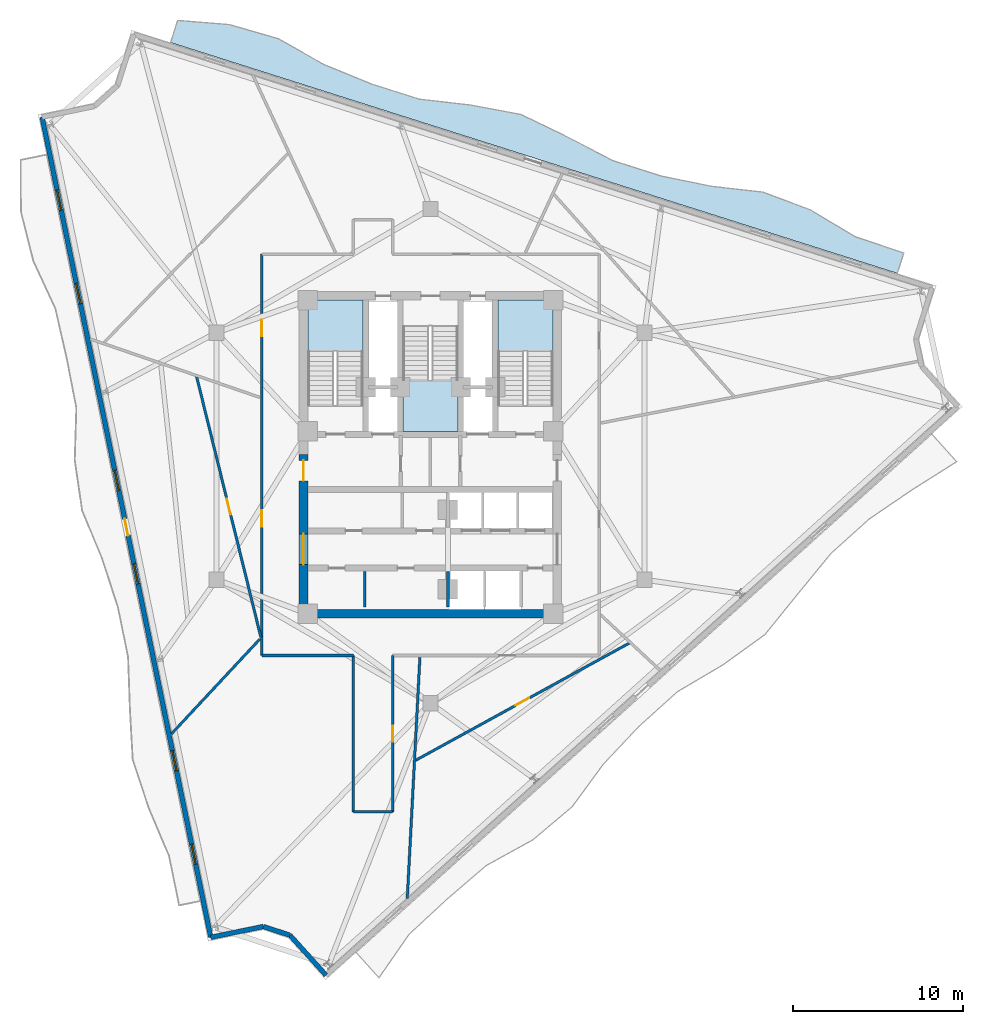
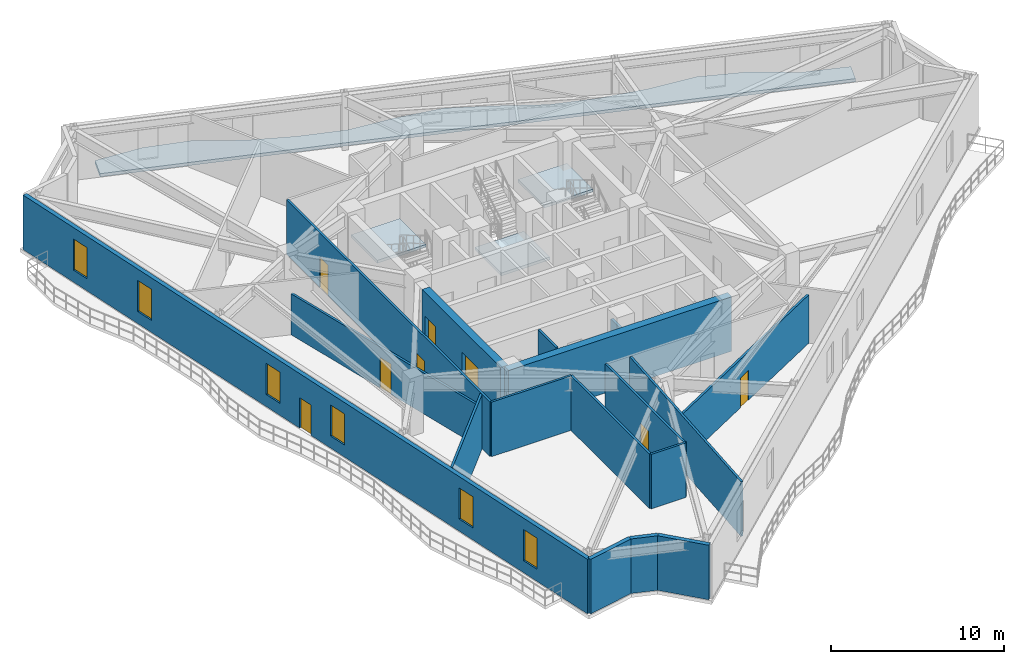
# One storey, part 5 of 12: 17 walls, 8 doors, 6 windows, 4 slabs, 14 openings, 3 elements without a shape of their own.
"""IFC4 building model written with IfcOpenShell, lengths in metres."""

from ifc_helpers import new_model, si_unit, direction, frame, frame_2d, origin, place, context, subcontext, project, spatial, polyline, rectangle, outline, extrude, material, layer, layer_set, type_object, element, fill, aggregate, save


model = new_model("IFC4")

# Units and contexts
model_context = context("Model", 3, precision=1e-05, world=origin(), true_north=direction((0.0, 1.0)))
body_context = subcontext(model_context, "Body", "Model", "MODEL_VIEW")
ifc_project = project(units=[si_unit("LENGTHUNIT", "METRE"), si_unit("AREAUNIT", "SQUARE_METRE"), si_unit("VOLUMEUNIT", "CUBIC_METRE"), si_unit("PLANEANGLEUNIT", "RADIAN"), si_unit("MASSUNIT", "GRAM", prefix="KILO")], contexts=[model_context])

# Site, building, storey
site_placement = place(None, origin())
site = spatial("IfcSite", under=ifc_project, at=site_placement, CompositionType="ELEMENT")
building_placement = place(site_placement, origin())
building = spatial("IfcBuilding", under=site, at=building_placement, Name="Apsidion Concourse Tower", CompositionType="ELEMENT")
storey_placement = place(building_placement, frame((0.0, 0.0, 240.39990234375)))
storey = spatial("IfcBuildingStorey", under=building, at=storey_placement, Name="L56", CompositionType="ELEMENT", Elevation=240.39990234375)

# Slab
ifc_material_1 = material(Name="Concrete C50/60", Category="concrete")
ifc_layer_1 = layer(ifc_material_1, 0.219970703125)
ifc_layer_set_1 = layer_set([ifc_layer_1], Name="Concrete C50/60")
slab_type_1 = type_object("IfcSlabType", Name="SL-BAL-220", PredefinedType="FLOOR", material=ifc_layer_set_1)
slab_1_placement = place(storey_placement, frame((0.0, 0.0, -0.219970703125)))
element("IfcSlab", 1, at=slab_1_placement, inside=storey, type_object=slab_type_1, Name="L56 Face 3 Rippling Balcony Slab", PredefinedType="FLOOR", context=body_context, shape_type="SweptSolid", body=[
    extrude(outline(polyline([(27.39599609375, 10.727294921875), (24.552978515625, 11.63037109375), (21.7099609375, 12.533447265625), (18.86669921875, 13.436279296875), (16.023681640625, 14.33935546875), (13.1806640625, 15.2421875), (10.337646484375, 16.145263671875), (7.49462890625, 17.04833984375), (4.651611328125, 17.951416015625), (1.80859375, 18.854248046875), (-1.03466796875, 19.75732421875), (-3.877685546875, 20.660400390625), (-6.720703125, 21.563232421875), (-9.563720703125, 22.46630859375), (-12.40673828125, 23.369140625), (-15.25, 24.272216796875), (-14.83740234375, 25.57080078125), (-11.7861328125, 25.323486328125), (-8.919921875, 24.4931640625), (-6.267333984375, 22.990966796875), (-3.499267578125, 21.8515625), (-0.65625, 20.948486328125), (2.36376953125, 20.6025390625), (5.317138671875, 20.047119140625), (8.030517578125, 18.735595703125), (10.716064453125, 17.336669921875), (13.55908203125, 16.43359375), (16.498291015625, 15.833251953125), (19.519287109375, 15.490478515625), (22.31640625, 14.44287109375), (24.945556640625, 12.86669921875), (27.7744140625, 11.918701171875), (27.39599609375, 10.727294921875)])), origin(), (0.0, 0.0, 1.0), 0.219970703125),
])

# Stair, slab
ifc_material_2 = material(Name="Precast concrete C40/50", Category="concrete")
stair_type = type_object("IfcStairType", Name="ST-DL-1550", PredefinedType="HALF_TURN_STAIR", material=ifc_material_2)
stair_1_placement = place(storey_placement, origin())
stair_1 = element("IfcStair", 2, at=stair_1_placement, inside=storey, type_object=stair_type, Name="L56 Protected Core Exit Stair ST1", PredefinedType="HALF_TURN_STAIR")
ifc_layer_2 = layer(ifc_material_1, 0.199951171875)
ifc_layer_set_2 = layer_set([ifc_layer_2], Name="Concrete C50/60")
slab_type_2 = type_object("IfcSlabType", Name="SL-ST-LAND-200", PredefinedType="LANDING", material=ifc_layer_set_2)
slab_2_placement = place(storey_placement, frame((0.0, 0.0, 1.85009765625)))
slab_2 = element("IfcSlab", 3, at=slab_2_placement, type_object=slab_type_2, Name="ST1 landing 1", PredefinedType="LANDING", context=body_context, shape_type="SweptSolid", body=[
    extrude(outline(polyline([(-3.949951171875, 6.135009765625), (-3.949951171875, 9.14990234375), (-7.199951171875, 9.14990234375), (-7.199951171875, 6.135009765625), (-3.949951171875, 6.135009765625)])), origin(), (0.0, 0.0, 1.0), 0.199951171875),
])
aggregate(stair_1, [slab_2])

stair_2_placement = place(storey_placement, origin())
stair_2 = element("IfcStair", 4, at=stair_2_placement, inside=storey, type_object=stair_type, Name="L56 Protected Core Exit Stair ST2", PredefinedType="HALF_TURN_STAIR")
slab_3_placement = place(storey_placement, frame((0.0, 0.0, 1.85009765625)))
slab_3 = element("IfcSlab", 5, at=slab_3_placement, type_object=slab_type_2, Name="ST2 landing 1", PredefinedType="LANDING", context=body_context, shape_type="SweptSolid", body=[
    extrude(outline(polyline([(7.199951171875, 6.135009765625), (7.199951171875, 9.14990234375), (3.949951171875, 9.14990234375), (3.949951171875, 6.135009765625), (7.199951171875, 6.135009765625)])), origin(), (0.0, 0.0, 1.0), 0.199951171875),
])
aggregate(stair_2, [slab_3])

stair_3_placement = place(storey_placement, origin())
stair_3 = element("IfcStair", 6, at=stair_3_placement, inside=storey, type_object=stair_type, Name="L56 Protected Core Exit Stair ST3", PredefinedType="HALF_TURN_STAIR")
slab_4_placement = place(storey_placement, frame((0.0, 0.0, 1.85009765625)))
slab_4 = element("IfcSlab", 7, at=slab_4_placement, type_object=slab_type_2, Name="ST3 landing 1", PredefinedType="LANDING", context=body_context, shape_type="SweptSolid", body=[
    extrude(outline(polyline([(-1.625, 4.465087890625), (-1.625, 1.449951171875), (1.625, 1.449951171875), (1.625, 4.465087890625), (-1.625, 4.465087890625)])), origin(), (0.0, 0.0, 1.0), 0.199951171875),
])
aggregate(stair_3, [slab_4])

# Walls
ifc_layer_3 = layer(ifc_material_2, 0.280029296875)
ifc_layer_set_3 = layer_set([ifc_layer_3], Name="Precast concrete C40/50")
wall_type_1 = type_object("IfcWallType", Name="WL-EXT-280", PredefinedType="STANDARD", material=ifc_layer_set_3)
wall_1_placement = place(storey_placement, frame((-6.13330078125, -30.46044921875, 0.0), z_axis=(0.0, 0.0, 1.0), x_axis=(-0.669131702868, 0.743143838175, 0.0)))
element("IfcWall", 8, at=wall_1_placement, inside=storey, type_object=wall_type_1, Name="L56 Precast Stone Facade Wall 06", PredefinedType="STANDARD", context=body_context, shape_type="SweptSolid", body=[
    extrude(rectangle(XDim=3.150146484375, YDim=0.280029296875, at=frame_2d((1.5751953125, 0.0))), origin(), (0.0, 0.0, 1.0), 3.85009765625),
])
wall_2_placement = place(storey_placement, frame((-8.2412109375, -28.119384765625, 0.0), z_axis=(0.0, 0.0, 1.0), x_axis=(-0.950036767419, 0.312138015231, 0.0)))
element("IfcWall", 9, at=wall_2_placement, inside=storey, type_object=wall_type_1, Name="L56 Precast Stone Facade Wall 07", PredefinedType="STANDARD", context=body_context, shape_type="SweptSolid", body=[
    extrude(rectangle(XDim=1.648681640625, YDim=0.280029296875, at=frame_2d((0.82421875, 0.0))), origin(), (0.0, 0.0, 1.0), 3.85009765625),
])
wall_3_placement = place(storey_placement, frame((-9.8076171875, -27.604736328125, 0.0), z_axis=(0.0, 0.0, 1.0), x_axis=(-0.979505186658, -0.201418939799, 0.0)))
element("IfcWall", 10, at=wall_3_placement, inside=storey, type_object=wall_type_1, Name="L56 Precast Stone Facade Wall 08", PredefinedType="STANDARD", context=body_context, shape_type="SweptSolid", body=[
    extrude(rectangle(XDim=3.150146484375, YDim=0.280029296875, at=frame_2d((1.5751953125, 0.0))), origin(), (0.0, 0.0, 1.0), 3.85009765625),
])

# Wall, openings, door, windows
wall_4_placement = place(storey_placement, frame((-12.893310546875, -28.2392578125, 0.0), z_axis=(0.0, 0.0, 1.0), x_axis=(-0.201426823496, 0.979503565474, 0.0)))
wall_4 = element("IfcWall", 11, at=wall_4_placement, inside=storey, type_object=wall_type_1, Name="L56 Precast Stone Facade Wall 09", PredefinedType="STANDARD", context=body_context, shape_type="SweptSolid", body=[
    extrude(rectangle(XDim=49.145263671875, YDim=0.280029296875, at=frame_2d((24.57275390625, 0.0))), origin(), (0.0, 0.0, 1.0), 3.85009765625),
])
opening_1_placement = place(wall_4_placement, frame((24.072509765625, 0.0, 0.0)))
opening_1 = element("IfcOpeningElement", 12, at=opening_1_placement, cuts=wall_4, Name="Opening D-T1L", PredefinedType="OPENING", context=body_context, shape_type="SweptSolid", body=[
    extrude(rectangle(XDim=1.0, YDim=2.14990234375, at=frame_2d((0.5, 1.074951171875))), frame((0.0, 0.14990234375, 0.0), z_axis=(0.0, -1.0, 0.0), x_axis=(1.0, 0.0, 0.0)), (0.0, 0.0, 1.0), 0.300048828125),
])
opening_2_placement = place(wall_4_placement, frame((4.37255859375, 0.0, 0.85009765625)))
opening_2 = element("IfcOpeningElement", 13, at=opening_2_placement, cuts=wall_4, Name="Opening WN-06", PredefinedType="OPENING", context=body_context, shape_type="SweptSolid", body=[
    extrude(rectangle(XDim=1.199951171875, YDim=2.199951171875, at=frame_2d((0.60009765625, 1.10009765625))), frame((0.0, 0.14990234375, 0.0), z_axis=(0.0, -1.0, 0.0), x_axis=(1.0, 0.0, 0.0)), (0.0, 0.0, 1.0), 0.300048828125),
])
opening_3_placement = place(wall_4_placement, frame((9.97265625, 0.0, 0.85009765625)))
opening_3 = element("IfcOpeningElement", 14, at=opening_3_placement, cuts=wall_4, Name="Opening WN-06", PredefinedType="OPENING", context=body_context, shape_type="SweptSolid", body=[
    extrude(rectangle(XDim=1.199951171875, YDim=2.199951171875, at=frame_2d((0.60009765625, 1.10009765625))), frame((0.0, 0.14990234375, 0.0), z_axis=(0.0, -1.0, 0.0), x_axis=(1.0, 0.0, 0.0)), (0.0, 0.0, 1.0), 0.300048828125),
])
opening_4_placement = place(wall_4_placement, frame((21.172607421875, 0.0, 0.85009765625)))
opening_4 = element("IfcOpeningElement", 15, at=opening_4_placement, cuts=wall_4, Name="Opening WN-06", PredefinedType="OPENING", context=body_context, shape_type="SweptSolid", body=[
    extrude(rectangle(XDim=1.199951171875, YDim=2.199951171875, at=frame_2d((0.60009765625, 1.10009765625))), frame((0.0, 0.14990234375, 0.0), z_axis=(0.0, -1.0, 0.0), x_axis=(1.0, 0.0, 0.0)), (0.0, 0.0, 1.0), 0.300048828125),
])
opening_5_placement = place(wall_4_placement, frame((26.772705078125, 0.0, 0.85009765625)))
opening_5 = element("IfcOpeningElement", 16, at=opening_5_placement, cuts=wall_4, Name="Opening WN-06", PredefinedType="OPENING", context=body_context, shape_type="SweptSolid", body=[
    extrude(rectangle(XDim=1.199951171875, YDim=2.199951171875, at=frame_2d((0.60009765625, 1.10009765625))), frame((0.0, 0.14990234375, 0.0), z_axis=(0.0, -1.0, 0.0), x_axis=(1.0, 0.0, 0.0)), (0.0, 0.0, 1.0), 0.300048828125),
])
opening_6_placement = place(wall_4_placement, frame((37.97265625, 0.0, 0.85009765625)))
opening_6 = element("IfcOpeningElement", 17, at=opening_6_placement, cuts=wall_4, Name="Opening WN-06", PredefinedType="OPENING", context=body_context, shape_type="SweptSolid", body=[
    extrude(rectangle(XDim=1.199951171875, YDim=2.199951171875, at=frame_2d((0.60009765625, 1.10009765625))), frame((0.0, 0.14990234375, 0.0), z_axis=(0.0, -1.0, 0.0), x_axis=(1.0, 0.0, 0.0)), (0.0, 0.0, 1.0), 0.300048828125),
])
opening_7_placement = place(wall_4_placement, frame((43.572509765625, 0.0, 0.85009765625)))
opening_7 = element("IfcOpeningElement", 18, at=opening_7_placement, cuts=wall_4, Name="Opening WN-06", PredefinedType="OPENING", context=body_context, shape_type="SweptSolid", body=[
    extrude(rectangle(XDim=1.199951171875, YDim=2.199951171875, at=frame_2d((0.60009765625, 1.10009765625))), frame((0.0, 0.14990234375, 0.0), z_axis=(0.0, -1.0, 0.0), x_axis=(1.0, 0.0, 0.0)), (0.0, 0.0, 1.0), 0.300048828125),
])
ifc_material_3 = material(Name="Anodised aluminium EN AW-6063 T6", Category="aluminium")
door_type_1 = type_object("IfcDoorType", Name="DR-TER-1022L", OperationType="SINGLE_SWING_LEFT", PredefinedType="DOOR", material=ifc_material_3)
door_1_placement = place(opening_1_placement, origin())
door_1 = element("IfcDoor", 19, at=door_1_placement, inside=storey, type_object=door_type_1, Name="L56 Balcony Access Door 1", OperationType="SINGLE_SWING_LEFT", OverallHeight=2.14990234375, OverallWidth=1.0, PredefinedType="DOOR", context=body_context, shape_type="SweptSolid", body=[
    extrude(rectangle(XDim=1.0, YDim=2.14990234375, at=frame_2d((0.5, 1.074951171875))), frame((0.0, 0.02490234375, 0.0), z_axis=(0.0, -1.0, 0.0), x_axis=(1.0, 0.0, 0.0)), (0.0, 0.0, 1.0), 0.050048828125),
])
fill(opening_1, door_1)
ifc_material_4 = material(Name="Insulated laminated low-E glass", Category="glass")
window_type = type_object("IfcWindowType", Name="WN-OFF-1224", PartitioningType="SINGLE_PANEL", PredefinedType="WINDOW", material=ifc_material_4)
window_1_placement = place(opening_2_placement, origin())
window_1 = element("IfcWindow", 20, at=window_1_placement, inside=storey, type_object=window_type, Name="L56 Punched Facade Window 9-01", OverallHeight=2.199951171875, OverallWidth=1.199951171875, PartitioningType="SINGLE_PANEL", PredefinedType="WINDOW", context=body_context, shape_type="SweptSolid", body=[
    extrude(rectangle(XDim=1.199951171875, YDim=2.199951171875, at=frame_2d((0.60009765625, 1.10009765625))), frame((0.0, 0.030029296875, 0.0), z_axis=(0.0, -1.0, 0.0), x_axis=(1.0, 0.0, 0.0)), (0.0, 0.0, 1.0), 0.06005859375),
])
fill(opening_2, window_1)
window_2_placement = place(opening_3_placement, origin())
window_2 = element("IfcWindow", 21, at=window_2_placement, inside=storey, type_object=window_type, Name="L56 Punched Facade Window 9-02", OverallHeight=2.199951171875, OverallWidth=1.199951171875, PartitioningType="SINGLE_PANEL", PredefinedType="WINDOW", context=body_context, shape_type="SweptSolid", body=[
    extrude(rectangle(XDim=1.199951171875, YDim=2.199951171875, at=frame_2d((0.60009765625, 1.10009765625))), frame((0.0, 0.030029296875, 0.0), z_axis=(0.0, -1.0, 0.0), x_axis=(1.0, 0.0, 0.0)), (0.0, 0.0, 1.0), 0.06005859375),
])
fill(opening_3, window_2)
window_3_placement = place(opening_4_placement, origin())
window_3 = element("IfcWindow", 22, at=window_3_placement, inside=storey, type_object=window_type, Name="L56 Punched Facade Window 9-04", OverallHeight=2.199951171875, OverallWidth=1.199951171875, PartitioningType="SINGLE_PANEL", PredefinedType="WINDOW", context=body_context, shape_type="SweptSolid", body=[
    extrude(rectangle(XDim=1.199951171875, YDim=2.199951171875, at=frame_2d((0.60009765625, 1.10009765625))), frame((0.0, 0.030029296875, 0.0), z_axis=(0.0, -1.0, 0.0), x_axis=(1.0, 0.0, 0.0)), (0.0, 0.0, 1.0), 0.06005859375),
])
fill(opening_4, window_3)
window_4_placement = place(opening_5_placement, origin())
window_4 = element("IfcWindow", 23, at=window_4_placement, inside=storey, type_object=window_type, Name="L56 Punched Facade Window 9-05", OverallHeight=2.199951171875, OverallWidth=1.199951171875, PartitioningType="SINGLE_PANEL", PredefinedType="WINDOW", context=body_context, shape_type="SweptSolid", body=[
    extrude(rectangle(XDim=1.199951171875, YDim=2.199951171875, at=frame_2d((0.60009765625, 1.10009765625))), frame((0.0, 0.030029296875, 0.0), z_axis=(0.0, -1.0, 0.0), x_axis=(1.0, 0.0, 0.0)), (0.0, 0.0, 1.0), 0.06005859375),
])
fill(opening_5, window_4)
window_5_placement = place(opening_6_placement, origin())
window_5 = element("IfcWindow", 24, at=window_5_placement, inside=storey, type_object=window_type, Name="L56 Punched Facade Window 9-07", OverallHeight=2.199951171875, OverallWidth=1.199951171875, PartitioningType="SINGLE_PANEL", PredefinedType="WINDOW", context=body_context, shape_type="SweptSolid", body=[
    extrude(rectangle(XDim=1.199951171875, YDim=2.199951171875, at=frame_2d((0.60009765625, 1.10009765625))), frame((0.0, 0.030029296875, 0.0), z_axis=(0.0, -1.0, 0.0), x_axis=(1.0, 0.0, 0.0)), (0.0, 0.0, 1.0), 0.06005859375),
])
fill(opening_6, window_5)
window_6_placement = place(opening_7_placement, origin())
window_6 = element("IfcWindow", 25, at=window_6_placement, inside=storey, type_object=window_type, Name="L56 Punched Facade Window 9-08", OverallHeight=2.199951171875, OverallWidth=1.199951171875, PartitioningType="SINGLE_PANEL", PredefinedType="WINDOW", context=body_context, shape_type="SweptSolid", body=[
    extrude(rectangle(XDim=1.199951171875, YDim=2.199951171875, at=frame_2d((0.60009765625, 1.10009765625))), frame((0.0, 0.030029296875, 0.0), z_axis=(0.0, -1.0, 0.0), x_axis=(1.0, 0.0, 0.0)), (0.0, 0.0, 1.0), 0.06005859375),
])
fill(opening_7, window_6)

# Walls
ifc_material_5 = material(Name="Gypsum plasterboard partition")
ifc_layer_4 = layer(ifc_material_5, 0.14990234375)
ifc_layer_set_4 = layer_set([ifc_layer_4], Name="Gypsum plasterboard partition")
wall_type_2 = type_object("IfcWallType", Name="WL-INT-PAR-150", PredefinedType="PARTITIONING", material=ifc_layer_set_4)
wall_5_placement = place(storey_placement, frame((-3.85009765625, -8.85009765625, 0.0), z_axis=(0.0, 0.0, 1.0), x_axis=(0.0, 1.0, 0.0)))
element("IfcWall", 26, at=wall_5_placement, inside=storey, type_object=wall_type_2, Name="L56 Interior Partition WL-L56-B2RV1", PredefinedType="PARTITIONING", context=body_context, shape_type="SweptSolid", body=[
    extrude(rectangle(XDim=2.080078125, YDim=0.14990234375, at=frame_2d((1.0400390625, 0.0))), origin(), (0.0, 0.0, 1.0), 3.85009765625),
])
wall_6_placement = place(storey_placement, frame((-4.530029296875, -11.699951171875, 0.0), z_axis=(0.0, 0.0, 1.0), x_axis=(-1.0, 0.0, 0.0)))
element("IfcWall", 27, at=wall_6_placement, inside=storey, type_object=wall_type_2, Name="L56 Interior Partition WL-L56-CORR-01", PredefinedType="PARTITIONING", context=body_context, shape_type="SweptSolid", body=[
    extrude(rectangle(XDim=5.369873046875, YDim=0.14990234375, at=frame_2d((2.68505859375, 0.0))), origin(), (0.0, 0.0, 1.0), 3.85009765625),
])

# Wall, openings, doors
wall_7_placement = place(storey_placement, frame((-9.89990234375, -11.699951171875, 0.0), z_axis=(0.0, 0.0, 1.0), x_axis=(0.0, 1.0, 0.0)))
wall_7 = element("IfcWall", 28, at=wall_7_placement, inside=storey, type_object=wall_type_2, Name="L56 Interior Partition WL-L56-CORR-02", PredefinedType="PARTITIONING", context=body_context, shape_type="SweptSolid", body=[
    extrude(rectangle(XDim=23.550048828125, YDim=0.14990234375, at=frame_2d((11.77490234375, 0.0))), origin(), (0.0, 0.0, 1.0), 3.85009765625),
])
opening_8_placement = place(wall_7_placement, frame((7.5673828125, 0.0, 0.0)))
opening_8 = element("IfcOpeningElement", 29, at=opening_8_placement, cuts=wall_7, Name="Opening D-01L", PredefinedType="OPENING", context=body_context, shape_type="SweptSolid", body=[
    extrude(rectangle(XDim=0.949951171875, YDim=2.14990234375, at=frame_2d((0.47509765625, 1.074951171875))), frame((0.0, 0.0849609375, 0.0), z_axis=(0.0, -1.0, 0.0), x_axis=(1.0, 0.0, 0.0)), (0.0, 0.0, 1.0), 0.169921875),
])
opening_9_placement = place(wall_7_placement, frame((18.744140625, 0.0, 0.0)))
opening_9 = element("IfcOpeningElement", 30, at=opening_9_placement, cuts=wall_7, Name="Opening D-01L", PredefinedType="OPENING", context=body_context, shape_type="SweptSolid", body=[
    extrude(rectangle(XDim=0.949951171875, YDim=2.14990234375, at=frame_2d((0.47509765625, 1.074951171875))), frame((0.0, 0.0849609375, 0.0), z_axis=(0.0, -1.0, 0.0), x_axis=(1.0, 0.0, 0.0)), (0.0, 0.0, 1.0), 0.169921875),
])
ifc_material_6 = material(Name="Brushed stainless steel 316", Category="steel")
door_type_2 = type_object("IfcDoorType", Name="DR-INT-D01L", OperationType="SINGLE_SWING_LEFT", PredefinedType="DOOR", material=ifc_material_6)
door_2_placement = place(opening_8_placement, origin())
door_2 = element("IfcDoor", 31, at=door_2_placement, inside=storey, type_object=door_type_2, Name="L56 Corridor Entry Door 01", OperationType="SINGLE_SWING_LEFT", OverallHeight=2.14990234375, OverallWidth=0.949951171875, PredefinedType="DOOR", context=body_context, shape_type="SweptSolid", body=[
    extrude(rectangle(XDim=0.949951171875, YDim=2.14990234375, at=frame_2d((0.47509765625, 1.074951171875))), frame((0.0, 0.02490234375, 0.0), z_axis=(0.0, -1.0, 0.0), x_axis=(1.0, 0.0, 0.0)), (0.0, 0.0, 1.0), 0.050048828125),
])
fill(opening_8, door_2)
door_3_placement = place(opening_9_placement, origin())
door_3 = element("IfcDoor", 32, at=door_3_placement, inside=storey, type_object=door_type_2, Name="L56 Corridor Entry Door 07", OperationType="SINGLE_SWING_LEFT", OverallHeight=2.14990234375, OverallWidth=0.949951171875, PredefinedType="DOOR", context=body_context, shape_type="SweptSolid", body=[
    extrude(rectangle(XDim=0.949951171875, YDim=2.14990234375, at=frame_2d((0.47509765625, 1.074951171875))), frame((0.0, 0.02490234375, 0.0), z_axis=(0.0, -1.0, 0.0), x_axis=(1.0, 0.0, 0.0)), (0.0, 0.0, 1.0), 0.050048828125),
])
fill(opening_9, door_3)

# Wall, opening, door
wall_8_placement = place(storey_placement, frame((-2.219970703125, -11.699951171875, 0.0), z_axis=(0.0, 0.0, 1.0), x_axis=(0.0, -1.0, 0.0)))
wall_8 = element("IfcWall", 33, at=wall_8_placement, inside=storey, type_object=wall_type_2, Name="L56 Interior Partition WL-L56-CORR-10", PredefinedType="PARTITIONING", context=body_context, shape_type="SweptSolid", body=[
    extrude(rectangle(XDim=9.179931640625, YDim=0.14990234375, at=frame_2d((4.58984375, 0.0))), origin(), (0.0, 0.0, 1.0), 3.85009765625),
])
opening_10_placement = place(wall_8_placement, frame((4.114990234375, 0.0, 0.0)))
opening_10 = element("IfcOpeningElement", 34, at=opening_10_placement, cuts=wall_8, Name="Opening D-01R", PredefinedType="OPENING", context=body_context, shape_type="SweptSolid", body=[
    extrude(rectangle(XDim=0.949951171875, YDim=2.14990234375, at=frame_2d((0.47509765625, 1.074951171875))), frame((0.0, 0.0849609375, 0.0), z_axis=(0.0, -1.0, 0.0), x_axis=(1.0, 0.0, 0.0)), (0.0, 0.0, 1.0), 0.169921875),
])
door_type_3 = type_object("IfcDoorType", Name="DR-INT-D01R", OperationType="SINGLE_SWING_RIGHT", PredefinedType="DOOR", material=ifc_material_6)
door_4_placement = place(opening_10_placement, origin())
door_4 = element("IfcDoor", 35, at=door_4_placement, inside=storey, type_object=door_type_3, Name="L56 Corridor Entry Door 02", OperationType="SINGLE_SWING_RIGHT", OverallHeight=2.14990234375, OverallWidth=0.949951171875, PredefinedType="DOOR", context=body_context, shape_type="SweptSolid", body=[
    extrude(rectangle(XDim=0.949951171875, YDim=2.14990234375, at=frame_2d((0.47509765625, 1.074951171875))), frame((0.0, 0.02490234375, 0.0), z_axis=(0.0, -1.0, 0.0), x_axis=(1.0, 0.0, 0.0)), (0.0, 0.0, 1.0), 0.050048828125),
])
fill(opening_10, door_4)

# Walls
wall_9_placement = place(storey_placement, frame((-2.219970703125, -20.8798828125, 0.0), z_axis=(0.0, 0.0, 1.0), x_axis=(-1.0, 0.0, 0.0)))
element("IfcWall", 36, at=wall_9_placement, inside=storey, type_object=wall_type_2, Name="L56 Interior Partition WL-L56-CORR-11", PredefinedType="PARTITIONING", context=body_context, shape_type="SweptSolid", body=[
    extrude(rectangle(XDim=2.31005859375, YDim=0.14990234375, at=frame_2d((1.155029296875, 0.0))), origin(), (0.0, 0.0, 1.0), 3.85009765625),
])
wall_10_placement = place(storey_placement, frame((-4.530029296875, -20.8798828125, 0.0), z_axis=(0.0, 0.0, 1.0), x_axis=(0.0, 1.0, 0.0)))
element("IfcWall", 37, at=wall_10_placement, inside=storey, type_object=wall_type_2, Name="L56 Interior Partition WL-L56-CORR-12", PredefinedType="PARTITIONING", context=body_context, shape_type="SweptSolid", body=[
    extrude(rectangle(XDim=9.179931640625, YDim=0.14990234375, at=frame_2d((4.58984375, 0.0))), origin(), (0.0, 0.0, 1.0), 3.85009765625),
])
wall_11_placement = place(storey_placement, frame((-10.0048828125, -10.72900390625, 0.0), z_axis=(0.0, 0.0, 1.0), x_axis=(-0.681991084944, -0.731360485709, 0.0)))
element("IfcWall", 38, at=wall_11_placement, inside=storey, type_object=wall_type_2, Name="L56 Interior Partition WL-L56-RAD-05-1", PredefinedType="PARTITIONING", context=body_context, shape_type="SweptSolid", body=[
    extrude(rectangle(XDim=7.605712890625, YDim=0.14990234375, at=frame_2d((3.802734375, 0.0))), origin(), (0.0, 0.0, 1.0), 3.85009765625),
])
wall_12_placement = place(storey_placement, frame((-0.61865234375, -11.804931640625, 0.0), z_axis=(0.0, 0.0, 1.0), x_axis=(-0.052330923958, -0.998629798473, 0.0)))
element("IfcWall", 39, at=wall_12_placement, inside=storey, type_object=wall_type_2, Name="L56 Interior Partition WL-L56-RAD-06-1", PredefinedType="PARTITIONING", context=body_context, shape_type="SweptSolid", body=[
    extrude(rectangle(XDim=14.168701171875, YDim=0.14990234375, at=frame_2d((7.08447265625, 0.0))), origin(), (0.0, 0.0, 1.0), 3.85009765625),
])

# Wall, opening, door
wall_13_placement = place(storey_placement, frame((-13.731201171875, 4.70166015625, 0.0), z_axis=(0.0, 0.0, 1.0), x_axis=(0.239406484388, -0.970919427776, 0.0)))
wall_13 = element("IfcWall", 40, at=wall_13_placement, inside=storey, type_object=wall_type_2, Name="L56 Interior Partition WL-L56-CHD-OFWC", PredefinedType="PARTITIONING", context=body_context, shape_type="SweptSolid", body=[
    extrude(rectangle(XDim=15.794189453125, YDim=0.14990234375, at=frame_2d((7.89697265625, 0.0))), origin(), (0.0, 0.0, 1.0), 2.898193359375),
])
opening_11_placement = place(wall_13_placement, frame((7.422119140625, 0.0, 0.0)))
opening_11 = element("IfcOpeningElement", 41, at=opening_11_placement, cuts=wall_13, Name="Opening D-04L", PredefinedType="OPENING", context=body_context, shape_type="SweptSolid", body=[
    extrude(rectangle(XDim=0.949951171875, YDim=2.14990234375, at=frame_2d((0.47509765625, 1.074951171875))), frame((0.0, 0.0849609375, 0.0), z_axis=(0.0, -1.0, 0.0), x_axis=(1.0, 0.0, 0.0)), (0.0, 0.0, 1.0), 0.169921875),
])
door_type_4 = type_object("IfcDoorType", Name="DR-INT-D04L", OperationType="SINGLE_SWING_LEFT", PredefinedType="DOOR", material=ifc_material_6)
door_5_placement = place(opening_11_placement, origin())
door_5 = element("IfcDoor", 42, at=door_5_placement, inside=storey, type_object=door_type_4, Name="L56 Suite Connecting Door OFWC", OperationType="SINGLE_SWING_LEFT", OverallHeight=2.14990234375, OverallWidth=0.949951171875, PredefinedType="DOOR", context=body_context, shape_type="SweptSolid", body=[
    extrude(rectangle(XDim=0.949951171875, YDim=2.14990234375, at=frame_2d((0.47509765625, 1.074951171875))), frame((0.0, 0.02490234375, 0.0), z_axis=(0.0, -1.0, 0.0), x_axis=(1.0, 0.0, 0.0)), (0.0, 0.0, 1.0), 0.050048828125),
])
fill(opening_11, door_5)

wall_14_placement = place(storey_placement, frame((-0.91162109375, -17.874267578125, 0.0), z_axis=(0.0, 0.0, 1.0), x_axis=(0.876692881447, 0.481050508387, 0.0)))
wall_14 = element("IfcWall", 43, at=wall_14_placement, inside=storey, type_object=wall_type_2, Name="L56 Interior Partition WL-L56-CHD-OFS02", PredefinedType="PARTITIONING", context=body_context, shape_type="SweptSolid", body=[
    extrude(rectangle(XDim=14.392578125, YDim=0.14990234375, at=frame_2d((7.1962890625, 0.0))), origin(), (0.0, 0.0, 1.0), 3.4150390625),
])
opening_12_placement = place(wall_14_placement, frame((6.746337890625, 0.0, 0.0)))
opening_12 = element("IfcOpeningElement", 44, at=opening_12_placement, cuts=wall_14, Name="Opening D-02L", PredefinedType="OPENING", context=body_context, shape_type="SweptSolid", body=[
    extrude(rectangle(XDim=0.89990234375, YDim=2.10009765625, at=frame_2d((0.449951171875, 1.050048828125))), frame((0.0, 0.0849609375, 0.0), z_axis=(0.0, -1.0, 0.0), x_axis=(1.0, 0.0, 0.0)), (0.0, 0.0, 1.0), 0.169921875),
])
door_type_5 = type_object("IfcDoorType", Name="DR-INT-D02L", OperationType="SINGLE_SWING_LEFT", PredefinedType="DOOR", material=ifc_material_3)
door_6_placement = place(opening_12_placement, origin())
door_6 = element("IfcDoor", 45, at=door_6_placement, inside=storey, type_object=door_type_5, Name="L56 Suite Connecting Door OFS02", OperationType="SINGLE_SWING_LEFT", OverallHeight=2.10009765625, OverallWidth=0.89990234375, PredefinedType="DOOR", context=body_context, shape_type="SweptSolid", body=[
    extrude(rectangle(XDim=0.89990234375, YDim=2.10009765625, at=frame_2d((0.449951171875, 1.050048828125))), frame((0.0, 0.02490234375, 0.0), z_axis=(0.0, -1.0, 0.0), x_axis=(1.0, 0.0, 0.0)), (0.0, 0.0, 1.0), 0.050048828125),
])
fill(opening_12, door_6)

# Wall
ifc_layer_5 = layer(ifc_material_5, 0.179931640625)
ifc_layer_set_5 = layer_set([ifc_layer_5], Name="Gypsum plasterboard partition")
wall_type_3 = type_object("IfcWallType", Name="WL-INT-PAR-180", PredefinedType="PARTITIONING", material=ifc_layer_set_5)
wall_15_placement = place(storey_placement, frame((1.02490234375, -8.85009765625, 0.0), z_axis=(0.0, 0.0, 1.0), x_axis=(0.0, 1.0, 0.0)))
element("IfcWall", 46, at=wall_15_placement, inside=storey, type_object=wall_type_3, Name="L56 Interior Partition WL-L56-B2END", PredefinedType="PARTITIONING", context=body_context, shape_type="SweptSolid", body=[
    extrude(rectangle(XDim=2.080078125, YDim=0.179931640625, at=frame_2d((1.0400390625, 0.0))), origin(), (0.0, 0.0, 1.0), 2.898193359375),
])

# Wall, openings, doors
ifc_layer_6 = layer(ifc_material_1, 0.5)
ifc_layer_set_6 = layer_set([ifc_layer_6], Name="Concrete C50/60")
wall_type_4 = type_object("IfcWallType", Name="WL-SH-500", PredefinedType="SHEAR", material=ifc_layer_set_6)
wall_16_placement = place(storey_placement, frame((-7.449951171875, -9.0, 0.0), z_axis=(0.0, 0.0, 1.0), x_axis=(0.0, 1.0, 0.0)))
wall_16 = element("IfcWall", 47, at=wall_16_placement, inside=storey, type_object=wall_type_4, Name="L56 Central Core Shear Wall WS", PredefinedType="SHEAR", context=body_context, shape_type="SweptSolid", body=[
    extrude(rectangle(XDim=9.10009765625, YDim=0.5, at=frame_2d((4.550048828125, 0.0))), origin(), (0.0, 0.0, 1.0), 3.85009765625),
])
opening_13_placement = place(wall_16_placement, frame((2.639892578125, 0.0, 0.0)))
opening_13 = element("IfcOpeningElement", 48, at=opening_13_placement, cuts=wall_16, Name="Opening D-06D", PredefinedType="OPENING", context=body_context, shape_type="SweptSolid", body=[
    extrude(rectangle(XDim=1.800048828125, YDim=2.199951171875, at=frame_2d((0.89990234375, 1.10009765625))), frame((0.0, 0.260009765625, 0.0), z_axis=(0.0, -1.0, 0.0), x_axis=(1.0, 0.0, 0.0)), (0.0, 0.0, 1.0), 0.52001953125),
])
opening_14_placement = place(wall_16_placement, frame((7.550048828125, 0.0, 0.0)))
opening_14 = element("IfcOpeningElement", 49, at=opening_14_placement, cuts=wall_16, Name="Opening D-FFL", PredefinedType="OPENING", context=body_context, shape_type="SweptSolid", body=[
    extrude(rectangle(XDim=1.199951171875, YDim=2.14990234375, at=frame_2d((0.60009765625, 1.074951171875))), frame((0.0, 0.260009765625, 0.0), z_axis=(0.0, -1.0, 0.0), x_axis=(1.0, 0.0, 0.0)), (0.0, 0.0, 1.0), 0.52001953125),
])
door_type_6 = type_object("IfcDoorType", Name="DR-INT-D06D", OperationType="DOUBLE_DOOR_SINGLE_SWING", PredefinedType="DOOR", material=ifc_material_6)
door_7_placement = place(opening_13_placement, origin())
door_7 = element("IfcDoor", 50, at=door_7_placement, inside=storey, type_object=door_type_6, Name="L56 Passenger Lift Lobby WS Portal Door", OperationType="DOUBLE_DOOR_SINGLE_SWING", OverallHeight=2.199951171875, OverallWidth=1.800048828125, PredefinedType="DOOR", context=body_context, shape_type="SweptSolid", body=[
    extrude(rectangle(XDim=1.800048828125, YDim=2.199951171875, at=frame_2d((0.89990234375, 1.10009765625))), frame((0.0, 0.02490234375, 0.0), z_axis=(0.0, -1.0, 0.0), x_axis=(1.0, 0.0, 0.0)), (0.0, 0.0, 1.0), 0.050048828125),
])
fill(opening_13, door_7)
door_type_7 = type_object("IfcDoorType", Name="DR-INT-FFL", OperationType="SINGLE_SWING_LEFT", PredefinedType="DOOR", material=ifc_material_6)
door_8_placement = place(opening_14_placement, origin())
door_8 = element("IfcDoor", 51, at=door_8_placement, inside=storey, type_object=door_type_7, Name="L56 Firefighting Lift Lobby FF1 Door", OperationType="SINGLE_SWING_LEFT", OverallHeight=2.14990234375, OverallWidth=1.199951171875, PredefinedType="DOOR", context=body_context, shape_type="SweptSolid", body=[
    extrude(rectangle(XDim=1.199951171875, YDim=2.14990234375, at=frame_2d((0.60009765625, 1.074951171875))), frame((0.0, 0.02490234375, 0.0), z_axis=(0.0, -1.0, 0.0), x_axis=(1.0, 0.0, 0.0)), (0.0, 0.0, 1.0), 0.050048828125),
])
fill(opening_14, door_8)

# Wall
wall_17_placement = place(storey_placement, frame((-7.449951171875, -9.25, 0.0), z_axis=(0.0, 0.0, 1.0), x_axis=(1.0, 0.0, 0.0)))
element("IfcWall", 52, at=wall_17_placement, inside=storey, type_object=wall_type_4, Name="L56 Central Core Shear Wall S", PredefinedType="SHEAR", context=body_context, shape_type="SweptSolid", body=[
    extrude(rectangle(XDim=14.89990234375, YDim=0.5, at=frame_2d((7.449951171875, 0.0))), origin(), (0.0, 0.0, 1.0), 3.85009765625),
])

save(model, "model.ifc")
